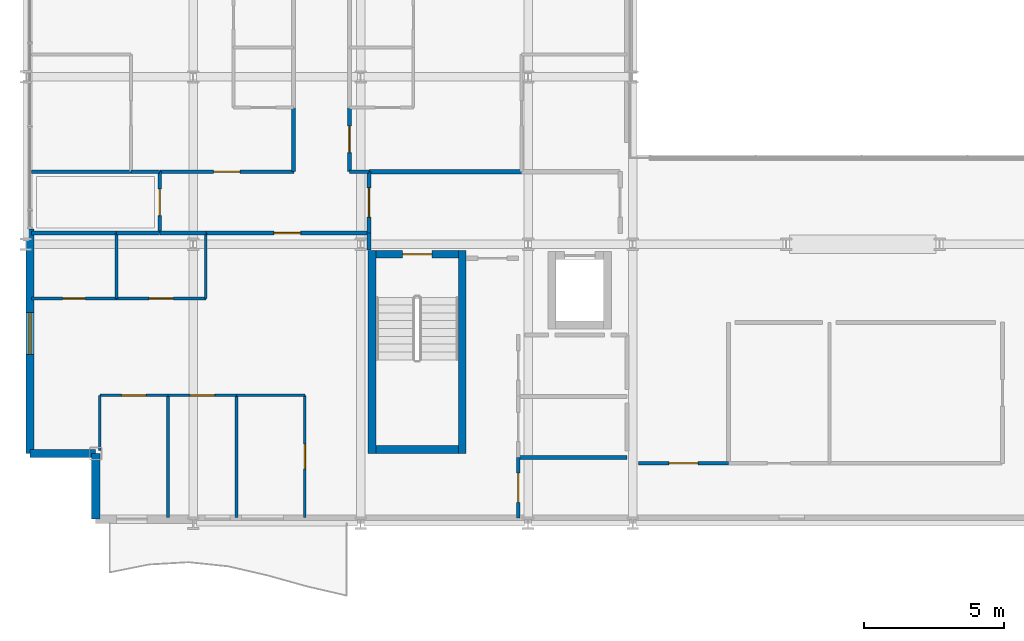
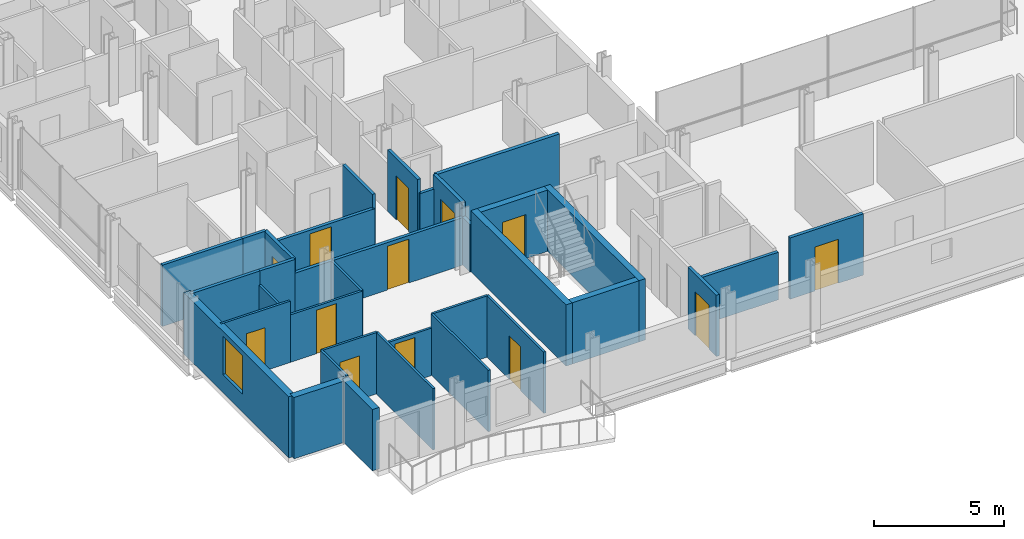
# One storey, part 31 of 40: 35 walls, 13 doors, 1 window, 14 openings.
"""IFC4 building model written with IfcOpenShell, lengths in metres."""

from ifc_helpers import new_model, si_unit, direction, frame, frame_2d, origin, place, context, subcontext, project, spatial, rectangle, extrude, material, layer, layer_set, type_object, element, fill, save


model = new_model("IFC4")

# Units and contexts
model_context = context("Model", 3, precision=1e-05, world=origin(), true_north=direction((0.0, 1.0)))
body_context = subcontext(model_context, "Body", "Model", "MODEL_VIEW")
ifc_project = project(units=[si_unit("LENGTHUNIT", "METRE"), si_unit("AREAUNIT", "SQUARE_METRE"), si_unit("VOLUMEUNIT", "CUBIC_METRE"), si_unit("PLANEANGLEUNIT", "RADIAN"), si_unit("MASSUNIT", "GRAM", prefix="KILO")], contexts=[model_context])

# Site, building, storey
site_placement = place(None, origin())
site = spatial("IfcSite", under=ifc_project, at=site_placement, CompositionType="ELEMENT")
building_placement = place(site_placement, origin())
building = spatial("IfcBuilding", under=site, at=building_placement, Name="Brevholm Reach", CompositionType="ELEMENT")
storey_placement = place(building_placement, frame((0.0, 0.0, 80.699951171875)))
storey = spatial("IfcBuildingStorey", under=building, at=storey_placement, Name="L23", CompositionType="ELEMENT", Elevation=80.699951171875)

# Walls
ifc_material_1 = material(Name="Concrete C50/60", Category="concrete")
ifc_layer_1 = layer(ifc_material_1, 0.280029296875)
ifc_layer_set_1 = layer_set([ifc_layer_1], Name="Concrete C50/60")
wall_type_1 = type_object("IfcWallType", Name="WAL-COR-280", PredefinedType="SHEAR", material=ifc_layer_set_1)
for number, where, z_axis, x_axis, name in (
    (1, (12.409912109375, 2.5, 0.0), (0.0, 0.0, 1.0), (0.0, 1.0, 0.0), "L23 Escape Stair ST-1 Core Wall W"),
    (2, (15.639892578125, 2.5, 0.0), (0.0, 0.0, 1.0), (0.0, 1.0, 0.0), "L23 Escape Stair ST-1 Core Wall E"),
):
    element("IfcWall", number, at=place(storey_placement, frame(where, z_axis=z_axis, x_axis=x_axis)), inside=storey, type_object=wall_type_1, Name=name, PredefinedType="SHEAR", context=body_context, shape_type="SweptSolid", body=[
        extrude(rectangle(XDim=7.280029296875, YDim=0.280029296875, at=frame_2d((3.64013671875, 0.0))), origin(), (0.0, 0.0, 1.0), 2.8701171875),
    ])
wall_1_placement = place(storey_placement, frame((12.550048828125, 2.639892578125, 0.0), z_axis=(0.0, 0.0, 1.0), x_axis=(1.0, 0.0, 0.0)))
element("IfcWall", 3, at=wall_1_placement, inside=storey, type_object=wall_type_1, Name="L23 Escape Stair ST-1 Core Wall S", PredefinedType="SHEAR", context=body_context, shape_type="SweptSolid", body=[
    extrude(rectangle(XDim=2.949951171875, YDim=0.280029296875, at=frame_2d((1.47509765625, 0.0))), origin(), (0.0, 0.0, 1.0), 2.8701171875),
])

# Wall, opening, door
wall_2_placement = place(storey_placement, frame((15.5, 9.639892578125, 0.0), z_axis=(0.0, 0.0, 1.0), x_axis=(-1.0, 0.0, 0.0)))
wall_2 = element("IfcWall", 4, at=wall_2_placement, inside=storey, type_object=wall_type_1, Name="L23 Escape Stair ST-1 Core Wall N", PredefinedType="SHEAR", context=body_context, shape_type="SweptSolid", body=[
    extrude(rectangle(XDim=2.949951171875, YDim=0.280029296875, at=frame_2d((1.47509765625, 0.0))), origin(), (0.0, 0.0, 1.0), 2.8701171875),
])
opening_1_placement = place(wall_2_placement, frame((0.949951171875, 0.0, 0.0)))
opening_1 = element("IfcOpeningElement", 5, at=opening_1_placement, cuts=wall_2, Name="Opening SD-ST-1", PredefinedType="OPENING", context=body_context, shape_type="SweptSolid", body=[
    extrude(rectangle(XDim=1.050048828125, YDim=2.06005859375, at=frame_2d((0.52490234375, 1.030029296875))), frame((0.0, 0.14990234375, 0.0), z_axis=(0.0, -1.0, 0.0), x_axis=(1.0, 0.0, 0.0)), (0.0, 0.0, 1.0), 0.300048828125),
])
ifc_material_2 = material(Name="Hardwood-Lipped Steel-Core Fire and Smoke Door", Category="steel")
door_type_1 = type_object("IfcDoorType", Name="DOR-INT-FD60S", OperationType="NOTDEFINED", PredefinedType="DOOR", material=ifc_material_2)
door_1_placement = place(opening_1_placement, origin())
door_1 = element("IfcDoor", 6, at=door_1_placement, inside=storey, type_object=door_type_1, Name="L23 Protected Stair ST-1 Lobby Door", OperationType="SINGLE_SWING_LEFT", OverallHeight=2.06005859375, OverallWidth=1.050048828125, PredefinedType="DOOR", context=body_context, shape_type="SweptSolid", body=[
    extrude(rectangle(XDim=1.050048828125, YDim=2.06005859375, at=frame_2d((0.52490234375, 1.030029296875))), frame((0.0, 0.02490234375, 0.0), z_axis=(0.0, -1.0, 0.0), x_axis=(1.0, 0.0, 0.0)), (0.0, 0.0, 1.0), 0.050048828125),
])
fill(opening_1, door_1)

# Walls
ifc_material_3 = material(Name="Concrete C40/50", Category="concrete")
ifc_layer_2 = layer(ifc_material_3, 0.300048828125)
ifc_layer_set_2 = layer_set([ifc_layer_2], Name="Concrete C40/50")
wall_type_2 = type_object("IfcWallType", Name="WAL-EXT-300", PredefinedType="STANDARD", material=ifc_layer_set_2)
for number, where, z_axis, x_axis, name in (
    (7, (2.5, 2.5, 0.0), (0.0, 0.0, 1.0), (0.0, -1.0, 0.0), "L23 Facade Wall WAL-L23-CSW1"),
    (8, (0.14990234375, 2.5, 0.0), (0.0, 0.0, 1.0), (1.0, 0.0, 0.0), "L23 Facade Wall WAL-L23-CSW2"),
):
    element("IfcWall", number, at=place(storey_placement, frame(where, z_axis=z_axis, x_axis=x_axis)), inside=storey, type_object=wall_type_2, Name=name, PredefinedType="STANDARD", context=body_context, shape_type="SweptSolid", body=[
        extrude(rectangle(XDim=2.35009765625, YDim=0.300048828125, at=frame_2d((1.175048828125, 0.0))), origin(), (0.0, 0.0, 1.0), 2.8701171875),
    ])

# Wall, opening, window
wall_3_placement = place(storey_placement, frame((0.14990234375, 10.550048828125, 0.0), z_axis=(0.0, 0.0, 1.0), x_axis=(0.0, -1.0, 0.0)))
wall_3 = element("IfcWall", 9, at=wall_3_placement, inside=storey, type_object=wall_type_2, Name="L23 Facade Wall WAL-L23-W-S", PredefinedType="STANDARD", context=body_context, shape_type="SweptSolid", body=[
    extrude(rectangle(XDim=8.050048828125, YDim=0.300048828125, at=frame_2d((4.02490234375, 0.0))), origin(), (0.0, 0.0, 1.0), 2.8701171875),
])
opening_2_placement = place(wall_3_placement, frame((3.0, 0.0, 0.85009765625)))
opening_2 = element("IfcOpeningElement", 10, at=opening_2_placement, cuts=wall_3, Name="Opening WN-05", PredefinedType="OPENING", context=body_context, shape_type="SweptSolid", body=[
    extrude(rectangle(XDim=1.5, YDim=1.800048828125, at=frame_2d((0.75, 0.89990234375))), frame((0.0, 0.159912109375, 0.0), z_axis=(0.0, -1.0, 0.0), x_axis=(1.0, 0.0, 0.0)), (0.0, 0.0, 1.0), 0.320068359375),
])
ifc_material_4 = material(Name="Dark Anodised Aluminium and Solar-Control IGU Glass", Category="aluminium")
window_type = type_object("IfcWindowType", Name="WIN-RES-1500", PartitioningType="SINGLE_PANEL", PredefinedType="WINDOW", material=ifc_material_4)
window_placement = place(opening_2_placement, origin())
window = element("IfcWindow", 11, at=window_placement, inside=storey, type_object=window_type, Name="L23 Window WIN-L23-WS-1", OverallHeight=1.800048828125, OverallWidth=1.5, PartitioningType="SINGLE_PANEL", PredefinedType="WINDOW", context=body_context, shape_type="SweptSolid", body=[
    extrude(rectangle(XDim=1.5, YDim=1.800048828125, at=frame_2d((0.75, 0.89990234375))), frame((0.0, 0.030029296875, 0.0), z_axis=(0.0, -1.0, 0.0), x_axis=(1.0, 0.0, 0.0)), (0.0, 0.0, 1.0), 0.06005859375),
])
fill(opening_2, window)

# Wall
ifc_material_5 = material(Name="Moisture-Resistant Acoustic Gypsum Stud Partition 100 mm", Category="gypsum")
ifc_layer_3 = layer(ifc_material_5, 0.10009765625)
ifc_layer_set_3 = layer_set([ifc_layer_3], Name="Moisture-Resistant Acoustic Gypsum Stud Partition 100 mm")
wall_type_3 = type_object("IfcWallType", Name="WAL-PRT-100", PredefinedType="PARTITIONING", material=ifc_layer_set_3)
wall_4_placement = place(storey_placement, frame((3.25, 8.053955078125, 0.0), z_axis=(0.0, 0.0, 1.0), x_axis=(0.0, 1.0, 0.0)))
element("IfcWall", 12, at=wall_4_placement, inside=storey, type_object=wall_type_3, Name="L23 Internal Partition 064", PredefinedType="PARTITIONING", context=body_context, shape_type="SweptSolid", body=[
    extrude(rectangle(XDim=2.345947265625, YDim=0.10009765625, at=frame_2d((1.1728515625, 0.0))), origin(), (0.0, 0.0, 1.0), 2.224853515625),
])

# Wall, opening, door
wall_5_placement = place(storey_placement, frame((0.199951171875, 8.053955078125, 0.0), z_axis=(0.0, 0.0, 1.0), x_axis=(1.0, 0.0, 0.0)))
wall_5 = element("IfcWall", 13, at=wall_5_placement, inside=storey, type_object=wall_type_3, Name="L23 Internal Partition 065", PredefinedType="PARTITIONING", context=body_context, shape_type="SweptSolid", body=[
    extrude(rectangle(XDim=3.050048828125, YDim=0.10009765625, at=frame_2d((1.52490234375, 0.0))), origin(), (0.0, 0.0, 1.0), 2.8701171875),
])
opening_3_placement = place(wall_5_placement, frame((1.114990234375, 0.0, 0.0)))
opening_3 = element("IfcOpeningElement", 14, at=opening_3_placement, cuts=wall_5, Name="Opening ID-03", PredefinedType="OPENING", context=body_context, shape_type="SweptSolid", body=[
    extrude(rectangle(XDim=0.820068359375, YDim=2.02001953125, at=frame_2d((0.41015625, 1.010009765625))), frame((0.0, 0.06005859375, 0.0), z_axis=(0.0, -1.0, 0.0), x_axis=(1.0, 0.0, 0.0)), (0.0, 0.0, 1.0), 0.1201171875),
])
ifc_material_6 = material(Name="Moisture-Resistant Painted Timber Internal Bathroom Door", Category="wood")
door_type_2 = type_object("IfcDoorType", Name="DOR-BATH-820", OperationType="NOTDEFINED", PredefinedType="DOOR", material=ifc_material_6)
door_2_placement = place(opening_3_placement, origin())
door_2 = element("IfcDoor", 15, at=door_2_placement, inside=storey, type_object=door_type_2, Name="L23 Internal Door 027", OperationType="SINGLE_SWING_RIGHT", OverallHeight=2.02001953125, OverallWidth=0.820068359375, PredefinedType="DOOR", context=body_context, shape_type="SweptSolid", body=[
    extrude(rectangle(XDim=0.820068359375, YDim=2.02001953125, at=frame_2d((0.41015625, 1.010009765625))), frame((0.0, 0.02490234375, 0.0), z_axis=(0.0, -1.0, 0.0), x_axis=(1.0, 0.0, 0.0)), (0.0, 0.0, 1.0), 0.050048828125),
])
fill(opening_3, door_2)

wall_6_placement = place(storey_placement, frame((3.25390625, 8.053955078125, 0.0), z_axis=(0.0, 0.0, 1.0), x_axis=(1.0, 0.0, 0.0)))
wall_6 = element("IfcWall", 16, at=wall_6_placement, inside=storey, type_object=wall_type_3, Name="L23 Internal Partition 067", PredefinedType="PARTITIONING", context=body_context, shape_type="SweptSolid", body=[
    extrude(rectangle(XDim=3.196044921875, YDim=0.10009765625, at=frame_2d((1.59814453125, 0.0))), origin(), (0.0, 0.0, 1.0), 2.224853515625),
])
opening_4_placement = place(wall_6_placement, frame((1.157958984375, 0.0, 0.0)))
opening_4 = element("IfcOpeningElement", 17, at=opening_4_placement, cuts=wall_6, Name="Opening ID-01", PredefinedType="OPENING", context=body_context, shape_type="SweptSolid", body=[
    extrude(rectangle(XDim=0.8798828125, YDim=2.0400390625, at=frame_2d((0.43994140625, 1.02001953125))), frame((0.0, 0.06005859375, 0.0), z_axis=(0.0, -1.0, 0.0), x_axis=(1.0, 0.0, 0.0)), (0.0, 0.0, 1.0), 0.1201171875),
])
ifc_material_7 = material(Name="Lacquered Ash Solid-Core Acoustic Internal Door", Category="timber")
door_type_3 = type_object("IfcDoorType", Name="DOR-INT-880", OperationType="NOTDEFINED", PredefinedType="DOOR", material=ifc_material_7)
door_3_placement = place(opening_4_placement, origin())
door_3 = element("IfcDoor", 18, at=door_3_placement, inside=storey, type_object=door_type_3, Name="L23 Internal Door 028", OperationType="SINGLE_SWING_LEFT", OverallHeight=2.0400390625, OverallWidth=0.8798828125, PredefinedType="DOOR", context=body_context, shape_type="SweptSolid", body=[
    extrude(rectangle(XDim=0.8798828125, YDim=2.0400390625, at=frame_2d((0.43994140625, 1.02001953125))), frame((0.0, 0.02490234375, 0.0), z_axis=(0.0, -1.0, 0.0), x_axis=(1.0, 0.0, 0.0)), (0.0, 0.0, 1.0), 0.050048828125),
])
fill(opening_4, door_3)

# Walls
wall_7_placement = place(storey_placement, frame((6.449951171875, 8.053955078125, 0.0), z_axis=(0.0, 0.0, 1.0), x_axis=(0.0, 1.0, 0.0)))
element("IfcWall", 19, at=wall_7_placement, inside=storey, type_object=wall_type_3, Name="L23 Internal Partition 068", PredefinedType="PARTITIONING", context=body_context, shape_type="SweptSolid", body=[
    extrude(rectangle(XDim=2.342041015625, YDim=0.10009765625, at=frame_2d((1.1708984375, 0.0))), origin(), (0.0, 0.0, 1.0), 2.224853515625),
])
wall_8_placement = place(storey_placement, frame((5.10009765625, 0.199951171875, 0.0), z_axis=(0.0, 0.0, 1.0), x_axis=(0.0, 1.0, 0.0)))
element("IfcWall", 20, at=wall_8_placement, inside=storey, type_object=wall_type_3, Name="L23 Internal Partition 070", PredefinedType="PARTITIONING", context=body_context, shape_type="SweptSolid", body=[
    extrude(rectangle(XDim=4.385986328125, YDim=0.10009765625, at=frame_2d((2.19287109375, 0.0))), origin(), (0.0, 0.0, 1.0), 2.8701171875),
])
wall_9_placement = place(storey_placement, frame((2.64990234375, 2.599365234375, 0.0), z_axis=(0.0, 0.0, 1.0), x_axis=(0.0, 1.0, 0.0)))
element("IfcWall", 21, at=wall_9_placement, inside=storey, type_object=wall_type_3, Name="L23 Internal Partition 071", PredefinedType="PARTITIONING", context=body_context, shape_type="SweptSolid", body=[
    extrude(rectangle(XDim=1.986572265625, YDim=0.10009765625, at=frame_2d((0.9931640625, 0.0))), origin(), (0.0, 0.0, 1.0), 2.8701171875),
])

# Wall, opening, door
wall_10_placement = place(storey_placement, frame((2.64990234375, 4.5859375, 0.0), z_axis=(0.0, 0.0, 1.0), x_axis=(1.0, 0.0, 0.0)))
wall_10 = element("IfcWall", 22, at=wall_10_placement, inside=storey, type_object=wall_type_3, Name="L23 Internal Partition 072", PredefinedType="PARTITIONING", context=body_context, shape_type="SweptSolid", body=[
    extrude(rectangle(XDim=2.4501953125, YDim=0.10009765625, at=frame_2d((1.22509765625, 0.0))), origin(), (0.0, 0.0, 1.0), 2.8701171875),
])
opening_5_placement = place(wall_10_placement, frame((0.784912109375, 0.0, 0.0)))
opening_5 = element("IfcOpeningElement", 23, at=opening_5_placement, cuts=wall_10, Name="Opening ID-01", PredefinedType="OPENING", context=body_context, shape_type="SweptSolid", body=[
    extrude(rectangle(XDim=0.8798828125, YDim=2.0400390625, at=frame_2d((0.43994140625, 1.02001953125))), frame((0.0, 0.06005859375, 0.0), z_axis=(0.0, -1.0, 0.0), x_axis=(1.0, 0.0, 0.0)), (0.0, 0.0, 1.0), 0.1201171875),
])
door_4_placement = place(opening_5_placement, origin())
door_4 = element("IfcDoor", 24, at=door_4_placement, inside=storey, type_object=door_type_3, Name="L23 Internal Door 029", OperationType="SINGLE_SWING_RIGHT", OverallHeight=2.0400390625, OverallWidth=0.8798828125, PredefinedType="DOOR", context=body_context, shape_type="SweptSolid", body=[
    extrude(rectangle(XDim=0.8798828125, YDim=2.0400390625, at=frame_2d((0.43994140625, 1.02001953125))), frame((0.0, 0.02490234375, 0.0), z_axis=(0.0, -1.0, 0.0), x_axis=(1.0, 0.0, 0.0)), (0.0, 0.0, 1.0), 0.050048828125),
])
fill(opening_5, door_4)

# Wall
wall_11_placement = place(storey_placement, frame((7.550048828125, 0.199951171875, 0.0), z_axis=(0.0, 0.0, 1.0), x_axis=(0.0, 1.0, 0.0)))
element("IfcWall", 25, at=wall_11_placement, inside=storey, type_object=wall_type_3, Name="L23 Internal Partition 073", PredefinedType="PARTITIONING", context=body_context, shape_type="SweptSolid", body=[
    extrude(rectangle(XDim=4.385986328125, YDim=0.10009765625, at=frame_2d((2.19287109375, 0.0))), origin(), (0.0, 0.0, 1.0), 2.8701171875),
])

# Wall, opening, door
wall_12_placement = place(storey_placement, frame((5.10400390625, 4.5859375, 0.0), z_axis=(0.0, 0.0, 1.0), x_axis=(1.0, 0.0, 0.0)))
wall_12 = element("IfcWall", 26, at=wall_12_placement, inside=storey, type_object=wall_type_3, Name="L23 Internal Partition 074", PredefinedType="PARTITIONING", context=body_context, shape_type="SweptSolid", body=[
    extrude(rectangle(XDim=2.446044921875, YDim=0.10009765625, at=frame_2d((1.22314453125, 0.0))), origin(), (0.0, 0.0, 1.0), 2.224853515625),
])
opening_6_placement = place(wall_12_placement, frame((0.782958984375, 0.0, 0.0)))
opening_6 = element("IfcOpeningElement", 27, at=opening_6_placement, cuts=wall_12, Name="Opening ID-01", PredefinedType="OPENING", context=body_context, shape_type="SweptSolid", body=[
    extrude(rectangle(XDim=0.8798828125, YDim=2.0400390625, at=frame_2d((0.43994140625, 1.02001953125))), frame((0.0, 0.06005859375, 0.0), z_axis=(0.0, -1.0, 0.0), x_axis=(1.0, 0.0, 0.0)), (0.0, 0.0, 1.0), 0.1201171875),
])
door_5_placement = place(opening_6_placement, origin())
door_5 = element("IfcDoor", 28, at=door_5_placement, inside=storey, type_object=door_type_3, Name="L23 Internal Door 030", OperationType="SINGLE_SWING_LEFT", OverallHeight=2.0400390625, OverallWidth=0.8798828125, PredefinedType="DOOR", context=body_context, shape_type="SweptSolid", body=[
    extrude(rectangle(XDim=0.8798828125, YDim=2.0400390625, at=frame_2d((0.43994140625, 1.02001953125))), frame((0.0, 0.02490234375, 0.0), z_axis=(0.0, -1.0, 0.0), x_axis=(1.0, 0.0, 0.0)), (0.0, 0.0, 1.0), 0.050048828125),
])
fill(opening_6, door_5)

wall_13_placement = place(storey_placement, frame((10.0, 0.199951171875, 0.0), z_axis=(0.0, 0.0, 1.0), x_axis=(0.0, 1.0, 0.0)))
wall_13 = element("IfcWall", 29, at=wall_13_placement, inside=storey, type_object=wall_type_3, Name="L23 Internal Partition 075", PredefinedType="PARTITIONING", context=body_context, shape_type="SweptSolid", body=[
    extrude(rectangle(XDim=4.385986328125, YDim=0.10009765625, at=frame_2d((2.19287109375, 0.0))), origin(), (0.0, 0.0, 1.0), 2.8701171875),
])
opening_7_placement = place(wall_13_placement, frame((1.7529296875, 0.0, 0.0)))
opening_7 = element("IfcOpeningElement", 30, at=opening_7_placement, cuts=wall_13, Name="Opening ID-01", PredefinedType="OPENING", context=body_context, shape_type="SweptSolid", body=[
    extrude(rectangle(XDim=0.8798828125, YDim=2.0400390625, at=frame_2d((0.43994140625, 1.02001953125))), frame((0.0, 0.06005859375, 0.0), z_axis=(0.0, -1.0, 0.0), x_axis=(1.0, 0.0, 0.0)), (0.0, 0.0, 1.0), 0.1201171875),
])
door_6_placement = place(opening_7_placement, origin())
door_6 = element("IfcDoor", 31, at=door_6_placement, inside=storey, type_object=door_type_3, Name="L23 Internal Door 031", OperationType="SINGLE_SWING_RIGHT", OverallHeight=2.0400390625, OverallWidth=0.8798828125, PredefinedType="DOOR", context=body_context, shape_type="SweptSolid", body=[
    extrude(rectangle(XDim=0.8798828125, YDim=2.0400390625, at=frame_2d((0.43994140625, 1.02001953125))), frame((0.0, 0.02490234375, 0.0), z_axis=(0.0, -1.0, 0.0), x_axis=(1.0, 0.0, 0.0)), (0.0, 0.0, 1.0), 0.050048828125),
])
fill(opening_7, door_6)

# Wall
wall_14_placement = place(storey_placement, frame((7.553955078125, 4.5859375, 0.0), z_axis=(0.0, 0.0, 1.0), x_axis=(1.0, 0.0, 0.0)))
element("IfcWall", 32, at=wall_14_placement, inside=storey, type_object=wall_type_3, Name="L23 Internal Partition 076", PredefinedType="PARTITIONING", context=body_context, shape_type="SweptSolid", body=[
    extrude(rectangle(XDim=2.446044921875, YDim=0.10009765625, at=frame_2d((1.22314453125, 0.0))), origin(), (0.0, 0.0, 1.0), 2.8701171875),
])

# Wall, opening, door
ifc_material_8 = material(Name="Twin-Stud Acoustic Fire-Rated Gypsum Partition 140 mm", Category="gypsum")
ifc_layer_4 = layer(ifc_material_8, 0.139892578125)
ifc_layer_set_4 = layer_set([ifc_layer_4], Name="Twin-Stud Acoustic Fire-Rated Gypsum Partition 140 mm")
wall_type_4 = type_object("IfcWallType", Name="WAL-PRT-140", PredefinedType="PARTITIONING", material=ifc_layer_set_4)
wall_15_placement = place(storey_placement, frame((21.949951171875, 2.14990234375, 0.0), z_axis=(0.0, 0.0, 1.0), x_axis=(1.0, 0.0, 0.0)))
wall_15 = element("IfcWall", 33, at=wall_15_placement, inside=storey, type_object=wall_type_4, Name="L23 Internal Partition 002", PredefinedType="PARTITIONING", context=body_context, shape_type="SweptSolid", body=[
    extrude(rectangle(XDim=3.241455078125, YDim=0.139892578125, at=frame_2d((1.62060546875, 0.0))), origin(), (0.0, 0.0, 1.0), 2.8701171875),
])
opening_8_placement = place(wall_15_placement, frame((1.095703125, 0.0, 0.0)))
opening_8 = element("IfcOpeningElement", 34, at=opening_8_placement, cuts=wall_15, Name="Opening FD-01", PredefinedType="OPENING", context=body_context, shape_type="SweptSolid", body=[
    extrude(rectangle(XDim=1.050048828125, YDim=2.06005859375, at=frame_2d((0.52490234375, 1.030029296875))), frame((0.0, 0.079833984375, 0.0), z_axis=(0.0, -1.0, 0.0), x_axis=(1.0, 0.0, 0.0)), (0.0, 0.0, 1.0), 0.159912109375),
])
door_7_placement = place(opening_8_placement, origin())
door_7 = element("IfcDoor", 35, at=door_7_placement, inside=storey, type_object=door_type_1, Name="L23 Internal Door 002", OperationType="SINGLE_SWING_LEFT", OverallHeight=2.06005859375, OverallWidth=1.050048828125, PredefinedType="DOOR", context=body_context, shape_type="SweptSolid", body=[
    extrude(rectangle(XDim=1.050048828125, YDim=2.06005859375, at=frame_2d((0.52490234375, 1.030029296875))), frame((0.0, 0.02490234375, 0.0), z_axis=(0.0, -1.0, 0.0), x_axis=(1.0, 0.0, 0.0)), (0.0, 0.0, 1.0), 0.050048828125),
])
fill(opening_8, door_7)

wall_16_placement = place(storey_placement, frame((17.64990234375, 0.179931640625, 0.0), z_axis=(0.0, 0.0, 1.0), x_axis=(0.0, 1.0, 0.0)))
wall_16 = element("IfcWall", 36, at=wall_16_placement, inside=storey, type_object=wall_type_4, Name="L23 Internal Partition 007", PredefinedType="PARTITIONING", context=body_context, shape_type="SweptSolid", body=[
    extrude(rectangle(XDim=2.181396484375, YDim=0.139892578125, at=frame_2d((1.0908203125, 0.0))), origin(), (0.0, 0.0, 1.0), 2.8701171875),
])
opening_9_placement = place(wall_16_placement, frame((0.565673828125, 0.0, 0.0)))
opening_9 = element("IfcOpeningElement", 37, at=opening_9_placement, cuts=wall_16, Name="Opening FD-01", PredefinedType="OPENING", context=body_context, shape_type="SweptSolid", body=[
    extrude(rectangle(XDim=1.050048828125, YDim=2.06005859375, at=frame_2d((0.52490234375, 1.030029296875))), frame((0.0, 0.079833984375, 0.0), z_axis=(0.0, -1.0, 0.0), x_axis=(1.0, 0.0, 0.0)), (0.0, 0.0, 1.0), 0.159912109375),
])
door_8_placement = place(opening_9_placement, origin())
door_8 = element("IfcDoor", 38, at=door_8_placement, inside=storey, type_object=door_type_1, Name="L23 Internal Door 004", OperationType="SINGLE_SWING_LEFT", OverallHeight=2.06005859375, OverallWidth=1.050048828125, PredefinedType="DOOR", context=body_context, shape_type="SweptSolid", body=[
    extrude(rectangle(XDim=1.050048828125, YDim=2.06005859375, at=frame_2d((0.52490234375, 1.030029296875))), frame((0.0, 0.02490234375, 0.0), z_axis=(0.0, -1.0, 0.0), x_axis=(1.0, 0.0, 0.0)), (0.0, 0.0, 1.0), 0.050048828125),
])
fill(opening_9, door_8)

# Walls
wall_17_placement = place(storey_placement, frame((17.654052734375, 2.35009765625, 0.0), z_axis=(0.0, 0.0, 1.0), x_axis=(1.0, 0.0, 0.0)))
element("IfcWall", 39, at=wall_17_placement, inside=storey, type_object=wall_type_4, Name="L23 Internal Partition 011", PredefinedType="PARTITIONING", context=body_context, shape_type="SweptSolid", body=[
    extrude(rectangle(XDim=3.89599609375, YDim=0.139892578125, at=frame_2d((1.947998046875, 0.0))), origin(), (0.0, 0.0, 1.0), 2.224853515625),
])
wall_18_placement = place(storey_placement, frame((4.800048828125, 10.39990234375, 0.0), z_axis=(0.0, 0.0, 1.0), x_axis=(1.0, 0.0, 0.0)))
element("IfcWall", 40, at=wall_18_placement, inside=storey, type_object=wall_type_4, Name="L23 Internal Partition 025", PredefinedType="PARTITIONING", context=body_context, shape_type="SweptSolid", body=[
    extrude(rectangle(XDim=1.6611328125, YDim=0.139892578125, at=frame_2d((0.83056640625, 0.0))), origin(), (0.0, 0.0, 1.0), 2.224853515625),
])

# Wall, opening, door
wall_19_placement = place(storey_placement, frame((6.442626953125, 10.39990234375, 0.0), z_axis=(0.0, 0.0, 1.0), x_axis=(1.0, 0.0, 0.0)))
wall_19 = element("IfcWall", 41, at=wall_19_placement, inside=storey, type_object=wall_type_4, Name="L23 Internal Partition 026", PredefinedType="PARTITIONING", context=body_context, shape_type="SweptSolid", body=[
    extrude(rectangle(XDim=5.853271484375, YDim=0.139892578125, at=frame_2d((2.9267578125, 0.0))), origin(), (0.0, 0.0, 1.0), 2.224853515625),
])
opening_10_placement = place(wall_19_placement, frame((2.45166015625, 0.0, 0.0)))
opening_10 = element("IfcOpeningElement", 42, at=opening_10_placement, cuts=wall_19, Name="Opening ID-30", PredefinedType="OPENING", context=body_context, shape_type="SweptSolid", body=[
    extrude(rectangle(XDim=0.949951171875, YDim=2.050048828125, at=frame_2d((0.47509765625, 1.02490234375))), frame((0.0, 0.079833984375, 0.0), z_axis=(0.0, -1.0, 0.0), x_axis=(1.0, 0.0, 0.0)), (0.0, 0.0, 1.0), 0.159912109375),
])
ifc_material_9 = material(Name="European Oak Veneered Solid-Core Fire Entrance Door", Category="timber")
door_type_4 = type_object("IfcDoorType", Name="DOR-FLT-FD30S", OperationType="NOTDEFINED", PredefinedType="DOOR", material=ifc_material_9)
door_9_placement = place(opening_10_placement, origin())
door_9 = element("IfcDoor", 43, at=door_9_placement, inside=storey, type_object=door_type_4, Name="L23 Internal Door 015", OperationType="SINGLE_SWING_RIGHT", OverallHeight=2.050048828125, OverallWidth=0.949951171875, PredefinedType="DOOR", context=body_context, shape_type="SweptSolid", body=[
    extrude(rectangle(XDim=0.949951171875, YDim=2.050048828125, at=frame_2d((0.47509765625, 1.02490234375))), frame((0.0, 0.02490234375, 0.0), z_axis=(0.0, -1.0, 0.0), x_axis=(1.0, 0.0, 0.0)), (0.0, 0.0, 1.0), 0.050048828125),
])
fill(opening_10, door_9)

wall_20_placement = place(storey_placement, frame((4.800048828125, 10.39990234375, 0.0), z_axis=(0.0, 0.0, 1.0), x_axis=(0.0, 1.0, 0.0)))
wall_20 = element("IfcWall", 44, at=wall_20_placement, inside=storey, type_object=wall_type_4, Name="L23 Internal Partition 027", PredefinedType="PARTITIONING", context=body_context, shape_type="SweptSolid", body=[
    extrude(rectangle(XDim=2.2001953125, YDim=0.139892578125, at=frame_2d((1.10009765625, 0.0))), origin(), (0.0, 0.0, 1.0), 2.8701171875),
])
opening_11_placement = place(wall_20_placement, frame((0.625, 0.0, 0.0)))
opening_11 = element("IfcOpeningElement", 45, at=opening_11_placement, cuts=wall_20, Name="Opening ID-30", PredefinedType="OPENING", context=body_context, shape_type="SweptSolid", body=[
    extrude(rectangle(XDim=0.949951171875, YDim=2.050048828125, at=frame_2d((0.47509765625, 1.02490234375))), frame((0.0, 0.079833984375, 0.0), z_axis=(0.0, -1.0, 0.0), x_axis=(1.0, 0.0, 0.0)), (0.0, 0.0, 1.0), 0.159912109375),
])
door_10_placement = place(opening_11_placement, origin())
door_10 = element("IfcDoor", 46, at=door_10_placement, inside=storey, type_object=door_type_4, Name="L23 Internal Door 016", OperationType="SINGLE_SWING_LEFT", OverallHeight=2.050048828125, OverallWidth=0.949951171875, PredefinedType="DOOR", context=body_context, shape_type="SweptSolid", body=[
    extrude(rectangle(XDim=0.949951171875, YDim=2.050048828125, at=frame_2d((0.47509765625, 1.02490234375))), frame((0.0, 0.02490234375, 0.0), z_axis=(0.0, -1.0, 0.0), x_axis=(1.0, 0.0, 0.0)), (0.0, 0.0, 1.0), 0.050048828125),
])
fill(opening_11, door_10)

wall_21_placement = place(storey_placement, frame((4.800048828125, 12.60009765625, 0.0), z_axis=(0.0, 0.0, 1.0), x_axis=(1.0, 0.0, 0.0)))
wall_21 = element("IfcWall", 47, at=wall_21_placement, inside=storey, type_object=wall_type_4, Name="L23 Internal Partition 028", PredefinedType="PARTITIONING", context=body_context, shape_type="SweptSolid", body=[
    extrude(rectangle(XDim=4.807373046875, YDim=0.139892578125, at=frame_2d((2.40380859375, 0.0))), origin(), (0.0, 0.0, 1.0), 2.224853515625),
])
opening_12_placement = place(wall_21_placement, frame((1.9287109375, 0.0, 0.0)))
opening_12 = element("IfcOpeningElement", 48, at=opening_12_placement, cuts=wall_21, Name="Opening ID-30", PredefinedType="OPENING", context=body_context, shape_type="SweptSolid", body=[
    extrude(rectangle(XDim=0.949951171875, YDim=2.050048828125, at=frame_2d((0.47509765625, 1.02490234375))), frame((0.0, 0.079833984375, 0.0), z_axis=(0.0, -1.0, 0.0), x_axis=(1.0, 0.0, 0.0)), (0.0, 0.0, 1.0), 0.159912109375),
])
door_11_placement = place(opening_12_placement, origin())
door_11 = element("IfcDoor", 49, at=door_11_placement, inside=storey, type_object=door_type_4, Name="L23 Internal Door 017", OperationType="SINGLE_SWING_RIGHT", OverallHeight=2.050048828125, OverallWidth=0.949951171875, PredefinedType="DOOR", context=body_context, shape_type="SweptSolid", body=[
    extrude(rectangle(XDim=0.949951171875, YDim=2.050048828125, at=frame_2d((0.47509765625, 1.02490234375))), frame((0.0, 0.02490234375, 0.0), z_axis=(0.0, -1.0, 0.0), x_axis=(1.0, 0.0, 0.0)), (0.0, 0.0, 1.0), 0.050048828125),
])
fill(opening_12, door_11)

# Walls
wall_22_placement = place(storey_placement, frame((11.5927734375, 12.60009765625, 0.0), z_axis=(0.0, 0.0, 1.0), x_axis=(1.0, 0.0, 0.0)))
element("IfcWall", 50, at=wall_22_placement, inside=storey, type_object=wall_type_4, Name="L23 Internal Partition 029", PredefinedType="PARTITIONING", context=body_context, shape_type="SweptSolid", body=[
    extrude(rectangle(XDim=0.703125, YDim=0.139892578125, at=frame_2d((0.3515625, 0.0))), origin(), (0.0, 0.0, 1.0), 2.224853515625),
])
wall_23_placement = place(storey_placement, frame((9.60009765625, 12.60400390625, 0.0), z_axis=(0.0, 0.0, 1.0), x_axis=(0.0, 1.0, 0.0)))
element("IfcWall", 51, at=wall_23_placement, inside=storey, type_object=wall_type_4, Name="L23 Internal Partition 035", PredefinedType="PARTITIONING", context=body_context, shape_type="SweptSolid", body=[
    extrude(rectangle(XDim=2.30322265625, YDim=0.139892578125, at=frame_2d((1.151611328125, 0.0))), origin(), (0.0, 0.0, 1.0), 2.8701171875),
])

# Wall, opening, door
wall_24_placement = place(storey_placement, frame((11.60009765625, 12.60400390625, 0.0), z_axis=(0.0, 0.0, 1.0), x_axis=(0.0, 1.0, 0.0)))
wall_24 = element("IfcWall", 52, at=wall_24_placement, inside=storey, type_object=wall_type_4, Name="L23 Internal Partition 041", PredefinedType="PARTITIONING", context=body_context, shape_type="SweptSolid", body=[
    extrude(rectangle(XDim=2.30322265625, YDim=0.139892578125, at=frame_2d((1.151611328125, 0.0))), origin(), (0.0, 0.0, 1.0), 2.8701171875),
])
opening_13_placement = place(wall_24_placement, frame((0.6767578125, 0.0, 0.0)))
opening_13 = element("IfcOpeningElement", 53, at=opening_13_placement, cuts=wall_24, Name="Opening ID-30", PredefinedType="OPENING", context=body_context, shape_type="SweptSolid", body=[
    extrude(rectangle(XDim=0.949951171875, YDim=2.050048828125, at=frame_2d((0.47509765625, 1.02490234375))), frame((0.0, 0.079833984375, 0.0), z_axis=(0.0, -1.0, 0.0), x_axis=(1.0, 0.0, 0.0)), (0.0, 0.0, 1.0), 0.159912109375),
])
door_12_placement = place(opening_13_placement, origin())
door_12 = element("IfcDoor", 54, at=door_12_placement, inside=storey, type_object=door_type_4, Name="L23 Internal Door 019", OperationType="SINGLE_SWING_RIGHT", OverallHeight=2.050048828125, OverallWidth=0.949951171875, PredefinedType="DOOR", context=body_context, shape_type="SweptSolid", body=[
    extrude(rectangle(XDim=0.949951171875, YDim=2.050048828125, at=frame_2d((0.47509765625, 1.02490234375))), frame((0.0, 0.02490234375, 0.0), z_axis=(0.0, -1.0, 0.0), x_axis=(1.0, 0.0, 0.0)), (0.0, 0.0, 1.0), 0.050048828125),
])
fill(opening_13, door_12)

# Walls
wall_25_placement = place(storey_placement, frame((0.199951171875, 10.39990234375, 0.0), z_axis=(0.0, 0.0, 1.0), x_axis=(1.0, 0.0, 0.0)))
element("IfcWall", 55, at=wall_25_placement, inside=storey, type_object=wall_type_4, Name="L23 Internal Partition 066", PredefinedType="PARTITIONING", context=body_context, shape_type="SweptSolid", body=[
    extrude(rectangle(XDim=3.050048828125, YDim=0.139892578125, at=frame_2d((1.52490234375, 0.0))), origin(), (0.0, 0.0, 1.0), 2.8701171875),
])
wall_26_placement = place(storey_placement, frame((3.25390625, 10.39990234375, 0.0), z_axis=(0.0, 0.0, 1.0), x_axis=(1.0, 0.0, 0.0)))
element("IfcWall", 56, at=wall_26_placement, inside=storey, type_object=wall_type_4, Name="L23 Internal Partition 069", PredefinedType="PARTITIONING", context=body_context, shape_type="SweptSolid", body=[
    extrude(rectangle(XDim=1.5419921875, YDim=0.139892578125, at=frame_2d((0.77099609375, 0.0))), origin(), (0.0, 0.0, 1.0), 2.8701171875),
])
wall_27_placement = place(storey_placement, frame((0.199951171875, 12.60009765625, 0.0), z_axis=(0.0, 0.0, 1.0), x_axis=(1.0, 0.0, 0.0)))
element("IfcWall", 57, at=wall_27_placement, inside=storey, type_object=wall_type_4, Name="L23 Internal Partition 077", PredefinedType="PARTITIONING", context=body_context, shape_type="SweptSolid", body=[
    extrude(rectangle(XDim=3.583251953125, YDim=0.139892578125, at=frame_2d((1.79150390625, 0.0))), origin(), (0.0, 0.0, 1.0), 2.8701171875),
])
wall_28_placement = place(storey_placement, frame((3.7646484375, 12.60009765625, 0.0), z_axis=(0.0, 0.0, 1.0), x_axis=(1.0, 0.0, 0.0)))
element("IfcWall", 58, at=wall_28_placement, inside=storey, type_object=wall_type_4, Name="L23 Internal Partition 078", PredefinedType="PARTITIONING", context=body_context, shape_type="SweptSolid", body=[
    extrude(rectangle(XDim=1.03125, YDim=0.139892578125, at=frame_2d((0.515625, 0.0))), origin(), (0.0, 0.0, 1.0), 2.8701171875),
])

# Wall, opening, door
ifc_material_10 = material(Name="Twin-Frame Fire-Rated Gypsum Board and Mineral Wool 160 mm", Category="gypsum")
ifc_layer_5 = layer(ifc_material_10, 0.159912109375)
ifc_layer_set_5 = layer_set([ifc_layer_5], Name="Twin-Frame Fire-Rated Gypsum Board and Mineral Wool 160 mm")
wall_type_5 = type_object("IfcWallType", Name="WAL-PRT-160", PredefinedType="PARTITIONING", material=ifc_layer_set_5)
wall_29_placement = place(storey_placement, frame((12.300048828125, 10.388671875, 0.0), z_axis=(0.0, 0.0, 1.0), x_axis=(0.0, 1.0, 0.0)))
wall_29 = element("IfcWall", 59, at=wall_29_placement, inside=storey, type_object=wall_type_5, Name="L23 Internal Partition 017", PredefinedType="PARTITIONING", context=body_context, shape_type="SweptSolid", body=[
    extrude(rectangle(XDim=2.21142578125, YDim=0.159912109375, at=frame_2d((1.105712890625, 0.0))), origin(), (0.0, 0.0, 1.0), 2.8701171875),
])
opening_14_placement = place(wall_29_placement, frame((0.58056640625, 0.0, 0.0)))
opening_14 = element("IfcOpeningElement", 60, at=opening_14_placement, cuts=wall_29, Name="Opening FD-01", PredefinedType="OPENING", context=body_context, shape_type="SweptSolid", body=[
    extrude(rectangle(XDim=1.050048828125, YDim=2.06005859375, at=frame_2d((0.52490234375, 1.030029296875))), frame((0.0, 0.08984375, 0.0), z_axis=(0.0, -1.0, 0.0), x_axis=(1.0, 0.0, 0.0)), (0.0, 0.0, 1.0), 0.179931640625),
])
door_13_placement = place(opening_14_placement, origin())
door_13 = element("IfcDoor", 61, at=door_13_placement, inside=storey, type_object=door_type_1, Name="L23 Internal Door 011", OperationType="SINGLE_SWING_RIGHT", OverallHeight=2.06005859375, OverallWidth=1.050048828125, PredefinedType="DOOR", context=body_context, shape_type="SweptSolid", body=[
    extrude(rectangle(XDim=1.050048828125, YDim=2.06005859375, at=frame_2d((0.52490234375, 1.030029296875))), frame((0.0, 0.02490234375, 0.0), z_axis=(0.0, -1.0, 0.0), x_axis=(1.0, 0.0, 0.0)), (0.0, 0.0, 1.0), 0.050048828125),
])
fill(opening_14, door_13)

# Walls
wall_30_placement = place(storey_placement, frame((12.300048828125, 9.7900390625, 0.0), z_axis=(0.0, 0.0, 1.0), x_axis=(0.0, 1.0, 0.0)))
element("IfcWall", 62, at=wall_30_placement, inside=storey, type_object=wall_type_5, Name="L23 Internal Partition 019", PredefinedType="PARTITIONING", context=body_context, shape_type="SweptSolid", body=[
    extrude(rectangle(XDim=0.6171875, YDim=0.159912109375, at=frame_2d((0.30859375, 0.0))), origin(), (0.0, 0.0, 1.0), 2.224853515625),
])
wall_31_placement = place(storey_placement, frame((12.300048828125, 12.60009765625, 0.0), z_axis=(0.0, 0.0, 1.0), x_axis=(1.0, 0.0, 0.0)))
element("IfcWall", 63, at=wall_31_placement, inside=storey, type_object=wall_type_5, Name="L23 Internal Partition 021", PredefinedType="PARTITIONING", context=body_context, shape_type="SweptSolid", body=[
    extrude(rectangle(XDim=5.476318359375, YDim=0.159912109375, at=frame_2d((2.73828125, 0.0))), origin(), (0.0, 0.0, 1.0), 2.8701171875),
])

save(model, "model.ifc")
